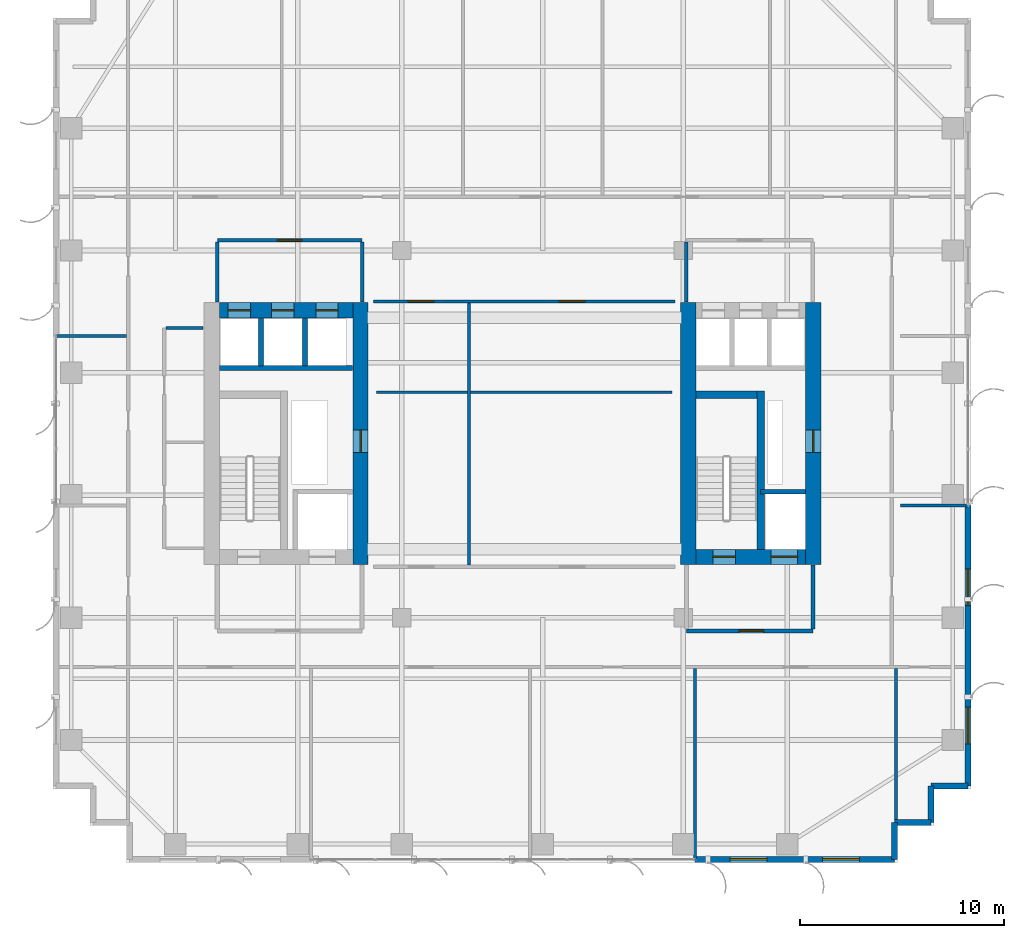
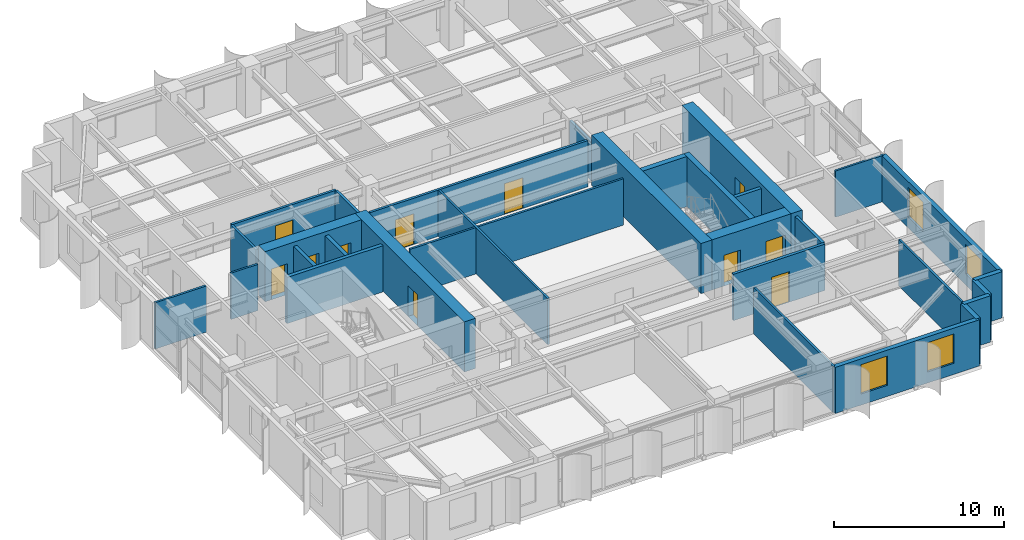
# One storey, part 17 of 22: 31 walls, 11 doors, 4 windows, 15 openings.
"""IFC4 building model written with IfcOpenShell, lengths in metres."""

import ifcopenshell
import ifcopenshell.guid

model = None  # the IFC model being written
_history = None  # IfcOwnerHistory: only IFC2X3 demands one
_inside = {}  # id of a spatial element -> (the spatial element, [elements in it])
_under = {}  # id of a project, library or spatial element -> (it, [spatial elements below it])
_declared = {}  # id of a project -> (the project, [libraries it declares])
_typed = {}  # id of a type object -> (the type object, [elements of that type])
_made_of = {}  # id of a material, layer set ... -> (it, [elements and type objects made of it])


def new_model(schema):
    """Start an empty IFC model of exactly this schema.

    Asked for "IFC4X3", IfcOpenShell would pick the latest addendum, in which some entities
    have other attributes; the version numbers below select the first issue.
    IFC2X3 requires an IfcOwnerHistory on every rooted entity: one is made here for all.
    """
    global model, _history
    if schema == "IFC4X3":
        model = ifcopenshell.file(schema_version=(4, 3, 0, 0))
    else:
        model = ifcopenshell.file(schema=schema)
    _inside.clear()
    _under.clear()
    _declared.clear()
    _typed.clear()
    _made_of.clear()
    _history = None
    if model.schema == "IFC2X3":
        org = make("IfcOrganization", Name="unknown")
        user = make(
            "IfcPersonAndOrganization",
            ThePerson=make("IfcPerson", FamilyName="unknown"),
            TheOrganization=org,
        )
        app = make(
            "IfcApplication",
            ApplicationDeveloper=org,
            Version="unknown",
            ApplicationFullName="unknown",
            ApplicationIdentifier="unknown",
        )
        _history = make(
            "IfcOwnerHistory",
            OwningUser=user,
            OwningApplication=app,
            ChangeAction="ADDED",
            CreationDate=0,
        )
    return model


def make(cls, **values):
    """One entity of the class cls with the attributes given. An attribute that is None is left unset."""
    return model.create_entity(
        cls, **{name: value for name, value in values.items() if value is not None}
    )


def rooted(cls, **values):
    """An entity with a GlobalId (a new one), such as an element, a storey or a relation."""
    return make(cls, GlobalId=ifcopenshell.guid.new(), OwnerHistory=_history, **values)


def si_unit(unit_type, name, prefix=None):
    """IfcSIUnit, for example si_unit("LENGTHUNIT", "METRE", prefix="MILLI")."""
    return make("IfcSIUnit", UnitType=unit_type, Prefix=prefix, Name=name)


def assignment(units):
    """IfcUnitAssignment: the units of a project."""
    return None if units is None else make("IfcUnitAssignment", Units=units)


def point(xyz):
    """IfcCartesianPoint."""
    return None if xyz is None else make("IfcCartesianPoint", Coordinates=xyz)


def direction(xyz):
    """IfcDirection."""
    return None if xyz is None else make("IfcDirection", DirectionRatios=xyz)


def frame(location, z_axis=None, x_axis=None):
    """IfcAxis2Placement3D, a coordinate frame: its origin and axes. An axis left out is left unset."""
    return make(
        "IfcAxis2Placement3D",
        Location=point(location),
        Axis=direction(z_axis),
        RefDirection=direction(x_axis),
    )


def frame_2d(location, x_axis=None):
    """IfcAxis2Placement2D, a coordinate frame in the plane: its origin and x axis."""
    return make(
        "IfcAxis2Placement2D", Location=point(location), RefDirection=direction(x_axis)
    )


def origin():
    """The frame at (0, 0, 0) with its axes left unset."""
    return frame((0.0, 0.0, 0.0))


def place(relative_to, where):
    """IfcLocalPlacement: puts the frame where relative to a parent placement (None: the world)."""
    return make(
        "IfcLocalPlacement", PlacementRelTo=relative_to, RelativePlacement=where
    )


def context(
    kind, dimensions, precision=None, world=None, true_north=None, identifier=None
):
    """IfcGeometricRepresentationContext, for example the 3D "Model" context."""
    return make(
        "IfcGeometricRepresentationContext",
        ContextIdentifier=identifier,
        ContextType=kind,
        CoordinateSpaceDimension=dimensions,
        Precision=precision,
        WorldCoordinateSystem=world,
        TrueNorth=true_north,
    )


def subcontext(parent, identifier, kind, view, scale=None):
    """IfcGeometricRepresentationSubContext, for example "Body" below "Model"."""
    return make(
        "IfcGeometricRepresentationSubContext",
        ContextIdentifier=identifier,
        ContextType=kind,
        ParentContext=parent,
        TargetScale=scale,
        TargetView=view,
    )


def project(units=None, contexts=None):
    """IfcProject with its units and contexts."""
    return rooted(
        "IfcProject",
        Name="project",
        RepresentationContexts=contexts,
        UnitsInContext=assignment(units),
    )


def spatial(cls, under=None, at=None, **own):
    """A site, building, storey or space (cls), placed at a placement, below another one or the project."""
    s = rooted(cls, ObjectPlacement=at, **own)
    if under is not None:
        _under.setdefault(under.id(), (under, []))[1].append(s)
    return s


def profile(cls, at=None, kind="AREA", **sizes):
    """A parametric profile (cls). Its sizes go by their IFC names, for example OverallWidth=200.0."""
    return make(cls, ProfileType=kind, Position=at, **sizes)


def rectangle(**sizes):
    """IfcRectangleProfileDef."""
    return profile("IfcRectangleProfileDef", **sizes)


def extrude(swept, where, along, depth):
    """IfcExtrudedAreaSolid: the profile swept, set in the frame where, extruded along a direction by depth."""
    return make(
        "IfcExtrudedAreaSolid",
        SweptArea=swept,
        Position=where,
        ExtrudedDirection=direction(along),
        Depth=depth,
    )


def shape(context_of_items, identifier, shape_type, items):
    """IfcShapeRepresentation: the items that make up one representation, for example the "Body"."""
    return make(
        "IfcShapeRepresentation",
        ContextOfItems=context_of_items,
        RepresentationIdentifier=identifier,
        RepresentationType=shape_type,
        Items=items,
    )


def source(mapping_origin, context_of_items, identifier, shape_type, items):
    """IfcRepresentationMap: a shape defined once, which mapped items show again and again."""
    return make(
        "IfcRepresentationMap",
        MappingOrigin=mapping_origin,
        MappedRepresentation=shape(context_of_items, identifier, shape_type, items),
    )


def transform(
    local_origin,
    x_axis=None,
    y_axis=None,
    z_axis=None,
    scale=None,
    scale2=None,
    scale3=None,
    uniform=True,
):
    """IfcCartesianTransformationOperator3D, or its non-uniform kind. x_axis, y_axis, z_axis: its Axis1, 2, 3."""
    if uniform:
        return make(
            "IfcCartesianTransformationOperator3D",
            Axis1=direction(x_axis),
            Axis2=direction(y_axis),
            LocalOrigin=point(local_origin),
            Scale=scale,
            Axis3=direction(z_axis),
        )
    return make(
        "IfcCartesianTransformationOperator3DnonUniform",
        Axis1=direction(x_axis),
        Axis2=direction(y_axis),
        LocalOrigin=point(local_origin),
        Scale=scale,
        Axis3=direction(z_axis),
        Scale2=scale2,
        Scale3=scale3,
    )


def mapped(mapping_source, mapping_target):
    """IfcMappedItem: shows the shape of a source again, moved by a transform."""
    return make(
        "IfcMappedItem", MappingSource=mapping_source, MappingTarget=mapping_target
    )


def material(Name=None, Category=None):
    """IfcMaterial."""
    return make("IfcMaterial", Name=Name, Category=Category)


def layer(
    of_material, thickness, ventilated=None, Name=None, Category=None, Priority=None
):
    """IfcMaterialLayer: one layer of a wall or slab, of a material (None: an air gap)."""
    return make(
        "IfcMaterialLayer",
        Material=of_material,
        LayerThickness=thickness,
        IsVentilated=ventilated,
        Name=Name,
        Category=Category,
        Priority=Priority,
    )


def layer_set(layers, Name=None):
    """IfcMaterialLayerSet."""
    return make("IfcMaterialLayerSet", MaterialLayers=layers, LayerSetName=Name)


def made_of(thing, what):
    """Note that an element or type object is made of a material, layer set ...; save() writes the relation."""
    if what is not None:
        _made_of.setdefault(what.id(), (what, []))[1].append(thing)
    return thing


def type_object(cls, material=None, **own):
    """A type object (cls), such as IfcWallType, which elements share."""
    return made_of(rooted(cls, **own), material)


def element(
    cls,
    number,
    at=None,
    inside=None,
    cuts=None,
    type_object=None,
    material=None,
    context=None,
    identifier="Body",
    shape_type=None,
    held_by="IfcProductDefinitionShape",
    body=None,
    shapes=None,
    **own,
):
    """One element of the class cls, such as IfcWall. Its Tag is "e" and its number.

    at: its placement. inside: the storey or other place that contains it. cuts: it is an
    opening in that element (IfcRelVoidsElement). A single representation is given by context,
    identifier, shape_type and body (its items); several are given by shapes. held_by: the class
    of the entity that holds the representations. save() writes the other relations.
    """
    e = rooted(cls, Tag="e%d" % number, ObjectPlacement=at, **own)
    if body is not None:
        shapes = [shape(context, identifier, shape_type, body)]
    if shapes is not None:
        e.Representation = make(held_by, Representations=shapes)
    if inside is not None:
        _inside.setdefault(inside.id(), (inside, []))[1].append(e)
    if cuts is not None:
        rooted(
            "IfcRelVoidsElement", RelatingBuildingElement=cuts, RelatedOpeningElement=e
        )
    if type_object is not None:
        _typed.setdefault(type_object.id(), (type_object, []))[1].append(e)
    return made_of(e, material)


def fill(opening, filler):
    """IfcRelFillsElement: the door or window that sits in an opening."""
    return rooted(
        "IfcRelFillsElement",
        RelatingOpeningElement=opening,
        RelatedBuildingElement=filler,
    )


def aggregate(whole, parts):
    """IfcRelAggregates: a whole, such as a stair, and the parts it consists of."""
    return rooted("IfcRelAggregates", RelatingObject=whole, RelatedObjects=parts)


def save(model, path):
    """Write the relations noted so far, then the file.

    IfcRelAggregates (storeys below a building ...), IfcRelContainedInSpatialStructure (elements
    in a storey), IfcRelDefinesByType, IfcRelAssociatesMaterial and IfcRelDeclares: one each for
    every whole, place, type object, material and project.
    """
    for whole, parts in _under.values():
        aggregate(whole, parts)
    for where, things in _inside.values():
        rooted(
            "IfcRelContainedInSpatialStructure",
            RelatedElements=things,
            RelatingStructure=where,
        )
    for kind, things in _typed.values():
        rooted("IfcRelDefinesByType", RelatedObjects=things, RelatingType=kind)
    for what, things in _made_of.values():
        rooted("IfcRelAssociatesMaterial", RelatedObjects=things, RelatingMaterial=what)
    for by, libraries in _declared.values():
        rooted("IfcRelDeclares", RelatingContext=by, RelatedDefinitions=libraries)
    model.write(path)


model = new_model("IFC4")

# Units and contexts
model_context = context("Model", 3, precision=1e-05, world=origin(), true_north=direction((0.0, 1.0)))
body_context = subcontext(model_context, "Body", "Model", "MODEL_VIEW")
ifc_project = project(units=[si_unit("LENGTHUNIT", "METRE"), si_unit("AREAUNIT", "SQUARE_METRE"), si_unit("VOLUMEUNIT", "CUBIC_METRE"), si_unit("PLANEANGLEUNIT", "RADIAN"), si_unit("MASSUNIT", "GRAM", prefix="KILO")], contexts=[model_context])

# Site, building, storey
site_placement = place(None, origin())
site = spatial("IfcSite", under=ifc_project, at=site_placement, CompositionType="ELEMENT")
building_placement = place(site_placement, origin())
building = spatial("IfcBuilding", under=site, at=building_placement, Name="Khoralis Quay Care Tower", CompositionType="ELEMENT")
storey_placement = place(building_placement, frame((0.0, 0.0, 141.300048828125)))
storey = spatial("IfcBuildingStorey", under=building, at=storey_placement, Name="L37", CompositionType="ELEMENT", Elevation=141.300048828125)

# Wall, opening, door
ifc_material_1 = material(Name="Gypsum plasterboard on acoustic metal stud")
ifc_layer_1 = layer(ifc_material_1, 0.199951171875)
ifc_layer_set_1 = layer_set([ifc_layer_1], Name="Gypsum plasterboard on acoustic metal stud")
wall_type_1 = type_object("IfcWallType", Name="WL-COMP-200", PredefinedType="PARTITIONING", material=ifc_layer_set_1)
wall_1_placement = place(storey_placement, frame((31.050048828125, 11.35009765625, 0.0), z_axis=(0.0, 0.0, 1.0), x_axis=(1.0, 0.0, 0.0)))
wall_1 = element("IfcWall", 1, at=wall_1_placement, inside=storey, type_object=wall_type_1, Name="L37 East Firefighting Lobby South Wall", PredefinedType="PARTITIONING", context=body_context, shape_type="SweptSolid", body=[
    extrude(rectangle(XDim=6.199951171875, YDim=0.199951171875, at=frame_2d((3.10009765625, 0.0))), origin(), (0.0, 0.0, 1.0), 3.320068359375),
])
opening_1_placement = place(wall_1_placement, frame((2.585693359375, 0.0, 0.0)))
opening_1 = element("IfcOpeningElement", 2, at=opening_1_placement, cuts=wall_1, Name="Opening FD1", PredefinedType="OPENING", context=body_context, shape_type="SweptSolid", body=[
    extrude(rectangle(XDim=1.199951171875, YDim=2.199951171875, at=frame_2d((0.60009765625, 1.10009765625))), frame((0.0, 0.10986328125, 0.0), z_axis=(0.0, -1.0, 0.0), x_axis=(1.0, 0.0, 0.0)), (0.0, 0.0, 1.0), 0.219970703125),
])
ifc_material_2 = material(Name="Fire-rated painted steel", Category="steel")
door_type_1 = type_object("IfcDoorType", Name="DR-FFL-1200X2200", OperationType="NOTDEFINED", PredefinedType="DOOR", material=ifc_material_2)
shared_shape_1 = source(origin(), body_context, "Body", "SweptSolid", [
    extrude(rectangle(XDim=1.199951171875, YDim=2.199951171875, at=frame_2d((0.60009765625, 1.10009765625))), frame((0.0, 0.02490234375, 0.0), z_axis=(0.0, -1.0, 0.0), x_axis=(1.0, 0.0, 0.0)), (0.0, 0.0, 1.0), 0.050048828125),
])
door_1_placement = place(opening_1_placement, origin())
door_1 = element("IfcDoor", 3, at=door_1_placement, inside=storey, type_object=door_type_1, Name="L37 East Firefighting Lobby Fire Door", OperationType="SINGLE_SWING_RIGHT", OverallHeight=2.199951171875, OverallWidth=1.199951171875, PredefinedType="DOOR", context=body_context, shape_type="MappedRepresentation", body=[
    mapped(shared_shape_1, transform((0.0, 0.0, 0.0), scale=1.0)),
])
fill(opening_1, door_1)

# Wall
wall_2_placement = place(storey_placement, frame((37.25, 11.445068359375, 0.0), z_axis=(0.0, 0.0, 1.0), x_axis=(0.0, 1.0, 0.0)))
element("IfcWall", 4, at=wall_2_placement, inside=storey, type_object=wall_type_1, Name="L37 East Firefighting Lobby East Wall", PredefinedType="PARTITIONING", context=body_context, shape_type="SweptSolid", body=[
    extrude(rectangle(XDim=3.135009765625, YDim=0.199951171875, at=frame_2d((1.5673828125, 0.0))), origin(), (0.0, 0.0, 1.0), 3.320068359375),
])

# Wall, opening, door
ifc_material_3 = material(Name="Concrete C80/95", Category="concrete")
ifc_layer_2 = layer(ifc_material_3, 0.75)
ifc_layer_set_2 = layer_set([ifc_layer_2], Name="Concrete C80/95")
wall_type_2 = type_object("IfcWallType", Name="WL-CORE-750", PredefinedType="SHEAR", material=ifc_layer_set_2)
wall_3_placement = place(storey_placement, frame((15.074951171875, 14.60009765625, 0.0), z_axis=(0.0, 0.0, 1.0), x_axis=(0.0, 1.0, 0.0)))
wall_3 = element("IfcWall", 5, at=wall_3_placement, inside=storey, type_object=wall_type_2, Name="L37 WCORE East Shear Wall", PredefinedType="SHEAR", context=body_context, shape_type="SweptSolid", body=[
    extrude(rectangle(XDim=12.849853515625, YDim=0.75, at=frame_2d((6.4248046875, 0.0))), origin(), (0.0, 0.0, 1.0), 3.599853515625),
])
opening_2_placement = place(wall_3_placement, frame((5.5, 0.0, 0.0)))
opening_2 = element("IfcOpeningElement", 6, at=opening_2_placement, cuts=wall_3, Name="Opening SD1", PredefinedType="OPENING", context=body_context, shape_type="SweptSolid", body=[
    extrude(rectangle(XDim=1.10009765625, YDim=2.199951171875, at=frame_2d((0.550048828125, 1.10009765625))), frame((0.0, 0.385009765625, 0.0), z_axis=(0.0, -1.0, 0.0), x_axis=(1.0, 0.0, 0.0)), (0.0, 0.0, 1.0), 0.77001953125),
])
door_type_2 = type_object("IfcDoorType", Name="DR-STAIR-1100X2200", OperationType="NOTDEFINED", PredefinedType="DOOR", material=ifc_material_2)
shared_shape_2 = source(origin(), body_context, "Body", "SweptSolid", [
    extrude(rectangle(XDim=1.10009765625, YDim=2.199951171875, at=frame_2d((0.550048828125, 1.10009765625))), frame((0.0, 0.02490234375, 0.0), z_axis=(0.0, -1.0, 0.0), x_axis=(1.0, 0.0, 0.0)), (0.0, 0.0, 1.0), 0.050048828125),
])
door_2_placement = place(opening_2_placement, origin())
door_2 = element("IfcDoor", 7, at=door_2_placement, inside=storey, type_object=door_type_2, Name="L37 West MEP Riser Door", OperationType="SINGLE_SWING_LEFT", OverallHeight=2.199951171875, OverallWidth=1.10009765625, PredefinedType="DOOR", context=body_context, shape_type="MappedRepresentation", body=[
    mapped(shared_shape_2, transform((0.0, 0.0, 0.0), scale=1.0)),
])
fill(opening_2, door_2)

# Wall, openings, doors
wall_4_placement = place(storey_placement, frame((8.14990234375, 27.074951171875, 0.0), z_axis=(0.0, 0.0, 1.0), x_axis=(1.0, 0.0, 0.0)))
wall_4 = element("IfcWall", 8, at=wall_4_placement, inside=storey, type_object=wall_type_2, Name="L37 WCORE North Shear Wall", PredefinedType="SHEAR", context=body_context, shape_type="SweptSolid", body=[
    extrude(rectangle(XDim=6.550048828125, YDim=0.75, at=frame_2d((3.27490234375, 0.0))), origin(), (0.0, 0.0, 1.0), 3.599853515625),
])
opening_3_placement = place(wall_4_placement, frame((0.429931640625, 0.0, 0.0)))
opening_3 = element("IfcOpeningElement", 9, at=opening_3_placement, cuts=wall_4, Name="Opening LD1", PredefinedType="OPENING", context=body_context, shape_type="SweptSolid", body=[
    extrude(rectangle(XDim=1.10009765625, YDim=2.199951171875, at=frame_2d((0.550048828125, 1.10009765625))), frame((0.0, 0.385009765625, 0.0), z_axis=(0.0, -1.0, 0.0), x_axis=(1.0, 0.0, 0.0)), (0.0, 0.0, 1.0), 0.77001953125),
])
opening_4_placement = place(wall_4_placement, frame((2.570068359375, 0.0, 0.0)))
opening_4 = element("IfcOpeningElement", 10, at=opening_4_placement, cuts=wall_4, Name="Opening LD1", PredefinedType="OPENING", context=body_context, shape_type="SweptSolid", body=[
    extrude(rectangle(XDim=1.10009765625, YDim=2.199951171875, at=frame_2d((0.550048828125, 1.10009765625))), frame((0.0, 0.385009765625, 0.0), z_axis=(0.0, -1.0, 0.0), x_axis=(1.0, 0.0, 0.0)), (0.0, 0.0, 1.0), 0.77001953125),
])
opening_5_placement = place(wall_4_placement, frame((4.72998046875, 0.0, 0.0)))
opening_5 = element("IfcOpeningElement", 11, at=opening_5_placement, cuts=wall_4, Name="Opening LD1", PredefinedType="OPENING", context=body_context, shape_type="SweptSolid", body=[
    extrude(rectangle(XDim=1.10009765625, YDim=2.199951171875, at=frame_2d((0.550048828125, 1.10009765625))), frame((0.0, 0.385009765625, 0.0), z_axis=(0.0, -1.0, 0.0), x_axis=(1.0, 0.0, 0.0)), (0.0, 0.0, 1.0), 0.77001953125),
])
ifc_material_4 = material(Name="Brushed stainless steel", Category="steel")
door_type_3 = type_object("IfcDoorType", Name="DR-LIFT-1100X2200", OperationType="SLIDING_TO_LEFT", PredefinedType="DOOR", material=ifc_material_4)
shared_shape_3 = source(origin(), body_context, "Body", "SweptSolid", [
    extrude(rectangle(XDim=1.10009765625, YDim=2.199951171875, at=frame_2d((0.550048828125, 1.10009765625))), frame((0.0, 0.02490234375, 0.0), z_axis=(0.0, -1.0, 0.0), x_axis=(1.0, 0.0, 0.0)), (0.0, 0.0, 1.0), 0.050048828125),
])
door_3_placement = place(opening_3_placement, origin())
door_3 = element("IfcDoor", 12, at=door_3_placement, inside=storey, type_object=door_type_3, Name="L37 Lift PLL1 Landing Door", OperationType="SLIDING_TO_LEFT", OverallHeight=2.199951171875, OverallWidth=1.10009765625, PredefinedType="DOOR", context=body_context, shape_type="MappedRepresentation", body=[
    mapped(shared_shape_3, transform((0.0, 0.0, 0.0), scale=1.0)),
])
fill(opening_3, door_3)
door_4_placement = place(opening_4_placement, origin())
door_4 = element("IfcDoor", 13, at=door_4_placement, inside=storey, type_object=door_type_3, Name="L37 Lift PLM1 Landing Door", OperationType="SLIDING_TO_LEFT", OverallHeight=2.199951171875, OverallWidth=1.10009765625, PredefinedType="DOOR", context=body_context, shape_type="MappedRepresentation", body=[
    mapped(shared_shape_3, transform((0.0, 0.0, 0.0), scale=1.0)),
])
fill(opening_4, door_4)
door_5_placement = place(opening_5_placement, origin())
door_5 = element("IfcDoor", 14, at=door_5_placement, inside=storey, type_object=door_type_3, Name="L37 Lift PLH1 Landing Door", OperationType="SLIDING_TO_LEFT", OverallHeight=2.199951171875, OverallWidth=1.10009765625, PredefinedType="DOOR", context=body_context, shape_type="MappedRepresentation", body=[
    mapped(shared_shape_3, transform((0.0, 0.0, 0.0), scale=1.0)),
])
fill(opening_5, door_5)

# Wall
wall_5_placement = place(storey_placement, frame((31.14501953125, 14.60009765625, 0.0), z_axis=(0.0, 0.0, 1.0), x_axis=(0.0, 1.0, 0.0)))
element("IfcWall", 15, at=wall_5_placement, inside=storey, type_object=wall_type_2, Name="L37 ECORE West Shear Wall", PredefinedType="SHEAR", context=body_context, shape_type="SweptSolid", body=[
    extrude(rectangle(XDim=12.849853515625, YDim=0.75, at=frame_2d((6.4248046875, 0.0))), origin(), (0.0, 0.0, 1.0), 3.599853515625),
])

# Wall, opening, door
wall_6_placement = place(storey_placement, frame((37.27490234375, 14.60009765625, 0.0), z_axis=(0.0, 0.0, 1.0), x_axis=(0.0, 1.0, 0.0)))
wall_6 = element("IfcWall", 16, at=wall_6_placement, inside=storey, type_object=wall_type_2, Name="L37 ECORE East Shear Wall", PredefinedType="SHEAR", context=body_context, shape_type="SweptSolid", body=[
    extrude(rectangle(XDim=12.849853515625, YDim=0.75, at=frame_2d((6.4248046875, 0.0))), origin(), (0.0, 0.0, 1.0), 3.599853515625),
])
opening_6_placement = place(wall_6_placement, frame((5.5, 0.0, 0.0)))
opening_6 = element("IfcOpeningElement", 17, at=opening_6_placement, cuts=wall_6, Name="Opening SD1", PredefinedType="OPENING", context=body_context, shape_type="SweptSolid", body=[
    extrude(rectangle(XDim=1.10009765625, YDim=2.199951171875, at=frame_2d((0.550048828125, 1.10009765625))), frame((0.0, 0.385009765625, 0.0), z_axis=(0.0, -1.0, 0.0), x_axis=(1.0, 0.0, 0.0)), (0.0, 0.0, 1.0), 0.77001953125),
])
door_6_placement = place(opening_6_placement, frame((1.10009765625, 0.0, 0.0), z_axis=(0.0, 0.0, 1.0), x_axis=(-1.0, 0.0, 0.0)))
door_6 = element("IfcDoor", 18, at=door_6_placement, inside=storey, type_object=door_type_2, Name="L37 East MEP Riser Door", OperationType="SINGLE_SWING_RIGHT", OverallHeight=2.199951171875, OverallWidth=1.10009765625, PredefinedType="DOOR", context=body_context, shape_type="MappedRepresentation", body=[
    mapped(shared_shape_2, transform((0.0, 0.0, 0.0), scale=1.0)),
])
fill(opening_6, door_6)

# Wall, openings, doors
wall_7_placement = place(storey_placement, frame((31.52001953125, 14.97509765625, 0.0), z_axis=(0.0, 0.0, 1.0), x_axis=(1.0, 0.0, 0.0)))
wall_7 = element("IfcWall", 19, at=wall_7_placement, inside=storey, type_object=wall_type_2, Name="L37 ECORE South Shear Wall", PredefinedType="SHEAR", context=body_context, shape_type="SweptSolid", body=[
    extrude(rectangle(XDim=5.3798828125, YDim=0.75, at=frame_2d((2.68994140625, 0.0))), origin(), (0.0, 0.0, 1.0), 3.599853515625),
])
opening_7_placement = place(wall_7_placement, frame((0.830078125, 0.0, 0.0)))
opening_7 = element("IfcOpeningElement", 20, at=opening_7_placement, cuts=wall_7, Name="Opening SD1", PredefinedType="OPENING", context=body_context, shape_type="SweptSolid", body=[
    extrude(rectangle(XDim=1.10009765625, YDim=2.199951171875, at=frame_2d((0.550048828125, 1.10009765625))), frame((0.0, 0.385009765625, 0.0), z_axis=(0.0, -1.0, 0.0), x_axis=(1.0, 0.0, 0.0)), (0.0, 0.0, 1.0), 0.77001953125),
])
opening_8_placement = place(wall_7_placement, frame((3.679931640625, 0.0, 0.0)))
opening_8 = element("IfcOpeningElement", 21, at=opening_8_placement, cuts=wall_7, Name="Opening LD2", PredefinedType="OPENING", context=body_context, shape_type="SweptSolid", body=[
    extrude(rectangle(XDim=1.300048828125, YDim=2.199951171875, at=frame_2d((0.64990234375, 1.10009765625))), frame((0.0, 0.385009765625, 0.0), z_axis=(0.0, -1.0, 0.0), x_axis=(1.0, 0.0, 0.0)), (0.0, 0.0, 1.0), 0.77001953125),
])
door_7_placement = place(opening_7_placement, origin())
door_7 = element("IfcDoor", 22, at=door_7_placement, inside=storey, type_object=door_type_2, Name="L37 Stair ST-T2 Fire Door", OperationType="SINGLE_SWING_RIGHT", OverallHeight=2.199951171875, OverallWidth=1.10009765625, PredefinedType="DOOR", context=body_context, shape_type="MappedRepresentation", body=[
    mapped(shared_shape_2, transform((0.0, 0.0, 0.0), scale=1.0)),
])
fill(opening_7, door_7)
door_type_4 = type_object("IfcDoorType", Name="DR-LIFT-1300X2200", OperationType="SLIDING_TO_RIGHT", PredefinedType="DOOR", material=ifc_material_4)
shared_shape_4 = source(origin(), body_context, "Body", "SweptSolid", [
    extrude(rectangle(XDim=1.300048828125, YDim=2.199951171875, at=frame_2d((0.64990234375, 1.10009765625))), frame((0.0, 0.02490234375, 0.0), z_axis=(0.0, -1.0, 0.0), x_axis=(1.0, 0.0, 0.0)), (0.0, 0.0, 1.0), 0.050048828125),
])
door_8_placement = place(opening_8_placement, origin())
door_8 = element("IfcDoor", 23, at=door_8_placement, inside=storey, type_object=door_type_4, Name="L37 Firefighting Lift FFL-2 Landing Door", OperationType="SLIDING_TO_RIGHT", OverallHeight=2.199951171875, OverallWidth=1.300048828125, PredefinedType="DOOR", context=body_context, shape_type="MappedRepresentation", body=[
    mapped(shared_shape_4, transform((0.0, 0.0, 0.0), scale=1.0)),
])
fill(opening_8, door_8)

# Wall, opening, door
ifc_layer_3 = layer(ifc_material_1, 0.1650390625)
ifc_layer_set_3 = layer_set([ifc_layer_3], Name="Gypsum plasterboard on acoustic metal stud")
wall_type_3 = type_object("IfcWallType", Name="WL-CORR-165", PredefinedType="PARTITIONING", material=ifc_layer_set_3)
wall_8_placement = place(storey_placement, frame((8.050048828125, 30.5, 0.0), z_axis=(0.0, 0.0, 1.0), x_axis=(1.0, 0.0, 0.0)))
wall_8 = element("IfcWall", 24, at=wall_8_placement, inside=storey, type_object=wall_type_3, Name="L37 West Lift Lobby North Wall", PredefinedType="PARTITIONING", context=body_context, shape_type="SweptSolid", body=[
    extrude(rectangle(XDim=7.099853515625, YDim=0.1650390625, at=frame_2d((3.5498046875, 0.0))), origin(), (0.0, 0.0, 1.0), 3.320068359375),
])
opening_9_placement = place(wall_8_placement, frame((2.949951171875, 0.0, 0.0)))
opening_9 = element("IfcOpeningElement", 25, at=opening_9_placement, cuts=wall_8, Name="Opening FD1", PredefinedType="OPENING", context=body_context, shape_type="SweptSolid", body=[
    extrude(rectangle(XDim=1.199951171875, YDim=2.199951171875, at=frame_2d((0.60009765625, 1.10009765625))), frame((0.0, 0.092529296875, 0.0), z_axis=(0.0, -1.0, 0.0), x_axis=(1.0, 0.0, 0.0)), (0.0, 0.0, 1.0), 0.18505859375),
])
door_9_placement = place(opening_9_placement, origin())
door_9 = element("IfcDoor", 26, at=door_9_placement, inside=storey, type_object=door_type_1, Name="L37 West Lift Lobby Double Door", OperationType="DOUBLE_DOOR_SINGLE_SWING", OverallHeight=2.199951171875, OverallWidth=1.199951171875, PredefinedType="DOOR", context=body_context, shape_type="MappedRepresentation", body=[
    mapped(shared_shape_1, transform((0.0, 0.0, 0.0), scale=1.0)),
])
fill(opening_9, door_9)

# Walls
for number, where, z_axis, x_axis, name in (
    (27, (8.050048828125, 27.469970703125, 0.0), (0.0, 0.0, 1.0), (0.0, 1.0, 0.0), "L37 West Lift Lobby West Wall"),
    (28, (15.14990234375, 27.469970703125, 0.0), (0.0, 0.0, 1.0), (0.0, 1.0, 0.0), "L37 West Lift Lobby East Wall"),
):
    element("IfcWall", number, at=place(storey_placement, frame(where, z_axis=z_axis, x_axis=x_axis)), inside=storey, type_object=wall_type_3, Name=name, PredefinedType="PARTITIONING", context=body_context, shape_type="SweptSolid", body=[
        extrude(rectangle(XDim=2.95263671875, YDim=0.1650390625, at=frame_2d((1.476318359375, 0.0))), origin(), (0.0, 0.0, 1.0), 3.320068359375),
    ])
wall_9_placement = place(storey_placement, frame((31.050048828125, 27.469970703125, 0.0), z_axis=(0.0, 0.0, 1.0), x_axis=(0.0, 1.0, 0.0)))
element("IfcWall", 29, at=wall_9_placement, inside=storey, type_object=wall_type_3, Name="L37 East Lift Lobby West Wall", PredefinedType="PARTITIONING", context=body_context, shape_type="SweptSolid", body=[
    extrude(rectangle(XDim=2.95263671875, YDim=0.1650390625, at=frame_2d((1.476318359375, 0.0))), origin(), (0.0, 0.0, 1.0), 2.77587890625),
])

# Wall, openings, doors
wall_10_placement = place(storey_placement, frame((15.699951171875, 27.5, 0.0), z_axis=(0.0, 0.0, 1.0), x_axis=(1.0, 0.0, 0.0)))
wall_10 = element("IfcWall", 30, at=wall_10_placement, inside=storey, type_object=wall_type_3, Name="L37 Central Clinical North Wall", PredefinedType="PARTITIONING", context=body_context, shape_type="SweptSolid", body=[
    extrude(rectangle(XDim=14.800048828125, YDim=0.1650390625, at=frame_2d((7.39990234375, 0.0))), origin(), (0.0, 0.0, 1.0), 3.320068359375),
])
opening_10_placement = place(wall_10_placement, frame((1.72509765625, 0.0, 0.0)))
opening_10 = element("IfcOpeningElement", 31, at=opening_10_placement, cuts=wall_10, Name="Opening CD1", PredefinedType="OPENING", context=body_context, shape_type="SweptSolid", body=[
    extrude(rectangle(XDim=1.25, YDim=2.199951171875, at=frame_2d((0.625, 1.10009765625))), frame((0.0, 0.092529296875, 0.0), z_axis=(0.0, -1.0, 0.0), x_axis=(1.0, 0.0, 0.0)), (0.0, 0.0, 1.0), 0.18505859375),
])
opening_11_placement = place(wall_10_placement, frame((9.125, 0.0, 0.0)))
opening_11 = element("IfcOpeningElement", 32, at=opening_11_placement, cuts=wall_10, Name="Opening CD1", PredefinedType="OPENING", context=body_context, shape_type="SweptSolid", body=[
    extrude(rectangle(XDim=1.25, YDim=2.199951171875, at=frame_2d((0.625, 1.10009765625))), frame((0.0, 0.092529296875, 0.0), z_axis=(0.0, -1.0, 0.0), x_axis=(1.0, 0.0, 0.0)), (0.0, 0.0, 1.0), 0.18505859375),
])
ifc_material_5 = material(Name="Acoustic hardwood timber", Category="wood")
door_type_5 = type_object("IfcDoorType", Name="DR-CARE-1250X2200", OperationType="NOTDEFINED", PredefinedType="DOOR", material=ifc_material_5)
shared_shape_5 = source(origin(), body_context, "Body", "SweptSolid", [
    extrude(rectangle(XDim=1.25, YDim=2.199951171875, at=frame_2d((0.625, 1.10009765625))), frame((0.0, 0.02490234375, 0.0), z_axis=(0.0, -1.0, 0.0), x_axis=(1.0, 0.0, 0.0)), (0.0, 0.0, 1.0), 0.050048828125),
])
door_10_placement = place(opening_10_placement, frame((1.25, 0.0, 0.0), z_axis=(0.0, 0.0, 1.0), x_axis=(-1.0, 0.0, 0.0)))
door_10 = element("IfcDoor", 33, at=door_10_placement, inside=storey, type_object=door_type_5, Name="L37 Library Lounge Door", OperationType="SINGLE_SWING_LEFT", OverallHeight=2.199951171875, OverallWidth=1.25, PredefinedType="DOOR", context=body_context, shape_type="MappedRepresentation", body=[
    mapped(shared_shape_5, transform((0.0, 0.0, 0.0), scale=1.0)),
])
fill(opening_10, door_10)
door_11_placement = place(opening_11_placement, frame((1.25, 0.0, 0.0), z_axis=(0.0, 0.0, 1.0), x_axis=(-1.0, 0.0, 0.0)))
door_11 = element("IfcDoor", 34, at=door_11_placement, inside=storey, type_object=door_type_5, Name="L37 Occupational Therapy Door", OperationType="SINGLE_SWING_RIGHT", OverallHeight=2.199951171875, OverallWidth=1.25, PredefinedType="DOOR", context=body_context, shape_type="MappedRepresentation", body=[
    mapped(shared_shape_5, transform((0.0, 0.0, 0.0), scale=1.0)),
])
fill(opening_11, door_11)

# Wall, openings, windows
ifc_material_6 = material(Name="Precast concrete C45/55", Category="concrete")
ifc_layer_4 = layer(ifc_material_6, 0.300048828125)
ifc_layer_set_4 = layer_set([ifc_layer_4], Name="Precast concrete C45/55")
wall_type_4 = type_object("IfcWallType", Name="WL-EXT-REF-300", PredefinedType="SOLIDWALL", material=ifc_layer_set_4)
wall_11_placement = place(storey_placement, frame((31.469970703125, 0.14990234375, 0.0), z_axis=(0.0, 0.0, 1.0), x_axis=(1.0, 0.0, 0.0)))
wall_11 = element("IfcWall", 35, at=wall_11_placement, inside=storey, type_object=wall_type_4, Name="L37 External Facade Wall WL-EXT-L37-P1-E0B", PredefinedType="SOLIDWALL", context=body_context, shape_type="SweptSolid", body=[
    extrude(rectangle(XDim=9.780029296875, YDim=0.300048828125, at=frame_2d((4.89013671875, 0.0))), origin(), (0.0, 0.0, 1.0), 3.320068359375),
])
opening_12_placement = place(wall_11_placement, frame((1.72509765625, 0.0, 0.800048828125)))
opening_12 = element("IfcOpeningElement", 36, at=opening_12_placement, cuts=wall_11, Name="Opening W2", PredefinedType="OPENING", context=body_context, shape_type="SweptSolid", body=[
    extrude(rectangle(XDim=1.800048828125, YDim=2.10009765625, at=frame_2d((0.89990234375, 1.050048828125))), frame((0.0, 0.16015625, 0.0), z_axis=(0.0, -1.0, 0.0), x_axis=(1.0, 0.0, 0.0)), (0.0, 0.0, 1.0), 0.320068359375),
])
opening_13_placement = place(wall_11_placement, frame((6.2548828125, 0.0, 0.800048828125)))
opening_13 = element("IfcOpeningElement", 37, at=opening_13_placement, cuts=wall_11, Name="Opening W2", PredefinedType="OPENING", context=body_context, shape_type="SweptSolid", body=[
    extrude(rectangle(XDim=1.800048828125, YDim=2.10009765625, at=frame_2d((0.89990234375, 1.050048828125))), frame((0.0, 0.16015625, 0.0), z_axis=(0.0, -1.0, 0.0), x_axis=(1.0, 0.0, 0.0)), (0.0, 0.0, 1.0), 0.320068359375),
])
ifc_material_7 = material(Name="Low-E solar-control double glazing", Category="glass")
window_type = type_object("IfcWindowType", Name="WN-POD-1800X2100", PartitioningType="SINGLE_PANEL", PredefinedType="WINDOW", material=ifc_material_7)
shared_shape_6 = source(origin(), body_context, "Body", "SweptSolid", [
    extrude(rectangle(XDim=1.800048828125, YDim=2.10009765625, at=frame_2d((0.89990234375, 1.050048828125))), frame((0.0, 0.030029296875, 0.0), z_axis=(0.0, -1.0, 0.0), x_axis=(1.0, 0.0, 0.0)), (0.0, 0.0, 1.0), 0.06005859375),
])
window_1_placement = place(opening_12_placement, origin())
window_1 = element("IfcWindow", 38, at=window_1_placement, inside=storey, type_object=window_type, Name="WN-L37-P1-E0B Facade Window 01", OverallHeight=2.10009765625, OverallWidth=1.800048828125, PartitioningType="SINGLE_PANEL", PredefinedType="WINDOW", context=body_context, shape_type="MappedRepresentation", body=[
    mapped(shared_shape_6, transform((0.0, 0.0, 0.0), scale=1.0)),
])
fill(opening_12, window_1)
window_2_placement = place(opening_13_placement, origin())
window_2 = element("IfcWindow", 39, at=window_2_placement, inside=storey, type_object=window_type, Name="WN-L37-P1-E0B Facade Window 02", OverallHeight=2.10009765625, OverallWidth=1.800048828125, PartitioningType="SINGLE_PANEL", PredefinedType="WINDOW", context=body_context, shape_type="MappedRepresentation", body=[
    mapped(shared_shape_6, transform((0.0, 0.0, 0.0), scale=1.0)),
])
fill(opening_13, window_2)

# Walls
for number, where, z_axis, x_axis, name in (
    (40, (41.25, 0.14990234375, 0.0), (0.0, 0.0, 1.0), (0.0, 1.0, 0.0), "L37 External Facade Wall WL-EXT-L37-P1-C1"),
    (41, (41.25, 1.949951171875, 0.0), (0.0, 0.0, 1.0), (1.0, 0.0, 0.0), "L37 External Facade Wall WL-EXT-L37-P1-C2"),
    (42, (43.050048828125, 1.949951171875, 0.0), (0.0, 0.0, 1.0), (0.0, 1.0, 0.0), "L37 External Facade Wall WL-EXT-L37-P1-C3"),
    (43, (43.050048828125, 3.75, 0.0), (0.0, 0.0, 1.0), (1.0, 0.0, 0.0), "L37 External Facade Wall WL-EXT-L37-P1-C4"),
):
    element("IfcWall", number, at=place(storey_placement, frame(where, z_axis=z_axis, x_axis=x_axis)), inside=storey, type_object=wall_type_4, Name=name, PredefinedType="SOLIDWALL", context=body_context, shape_type="SweptSolid", body=[
        extrude(rectangle(XDim=1.800048828125, YDim=0.300048828125, at=frame_2d((0.89990234375, 0.0))), origin(), (0.0, 0.0, 1.0), 3.320068359375),
    ])

# Wall, openings, windows
wall_12_placement = place(storey_placement, frame((44.85009765625, 3.75, 0.0), z_axis=(0.0, 0.0, 1.0), x_axis=(0.0, 1.0, 0.0)))
wall_12 = element("IfcWall", 44, at=wall_12_placement, inside=storey, type_object=wall_type_4, Name="L37 External Facade Wall WL-EXT-L37-P1-E5A", PredefinedType="SOLIDWALL", context=body_context, shape_type="SweptSolid", body=[
    extrude(rectangle(XDim=13.75, YDim=0.300048828125, at=frame_2d((6.875, 0.0))), origin(), (0.0, 0.0, 1.0), 3.320068359375),
])
opening_14_placement = place(wall_12_placement, frame((2.06494140625, 0.0, 0.800048828125)))
opening_14 = element("IfcOpeningElement", 45, at=opening_14_placement, cuts=wall_12, Name="Opening W2", PredefinedType="OPENING", context=body_context, shape_type="SweptSolid", body=[
    extrude(rectangle(XDim=1.800048828125, YDim=2.10009765625, at=frame_2d((0.89990234375, 1.050048828125))), frame((0.0, 0.16015625, 0.0), z_axis=(0.0, -1.0, 0.0), x_axis=(1.0, 0.0, 0.0)), (0.0, 0.0, 1.0), 0.320068359375),
])
opening_15_placement = place(wall_12_placement, frame((8.840087890625, 0.0, 0.800048828125)))
opening_15 = element("IfcOpeningElement", 46, at=opening_15_placement, cuts=wall_12, Name="Opening W2", PredefinedType="OPENING", context=body_context, shape_type="SweptSolid", body=[
    extrude(rectangle(XDim=1.800048828125, YDim=2.10009765625, at=frame_2d((0.89990234375, 1.050048828125))), frame((0.0, 0.16015625, 0.0), z_axis=(0.0, -1.0, 0.0), x_axis=(1.0, 0.0, 0.0)), (0.0, 0.0, 1.0), 0.320068359375),
])
window_3_placement = place(opening_14_placement, origin())
window_3 = element("IfcWindow", 47, at=window_3_placement, inside=storey, type_object=window_type, Name="WN-L37-P1-E5A Facade Window 01", OverallHeight=2.10009765625, OverallWidth=1.800048828125, PartitioningType="SINGLE_PANEL", PredefinedType="WINDOW", context=body_context, shape_type="MappedRepresentation", body=[
    mapped(shared_shape_6, transform((0.0, 0.0, 0.0), scale=1.0)),
])
fill(opening_14, window_3)
window_4_placement = place(opening_15_placement, origin())
window_4 = element("IfcWindow", 48, at=window_4_placement, inside=storey, type_object=window_type, Name="WN-L37-P1-E5A Facade Window 02", OverallHeight=2.10009765625, OverallWidth=1.800048828125, PartitioningType="SINGLE_PANEL", PredefinedType="WINDOW", context=body_context, shape_type="MappedRepresentation", body=[
    mapped(shared_shape_6, transform((0.0, 0.0, 0.0), scale=1.0)),
])
fill(opening_15, window_4)

# Walls
ifc_material_8 = material(Name="Concrete C40/50", Category="concrete")
ifc_layer_5 = layer(ifc_material_8, 0.35009765625)
ifc_layer_set_5 = layer_set([ifc_layer_5], Name="Concrete C40/50")
wall_type_5 = type_object("IfcWallType", Name="WL-SC-CORE-350", PredefinedType="SHEAR", material=ifc_layer_set_5)
wall_13_placement = place(storey_placement, frame((34.695068359375, 15.35009765625, 0.0), z_axis=(0.0, 0.0, 1.0), x_axis=(0.0, 1.0, 0.0)))
element("IfcWall", 49, at=wall_13_placement, inside=storey, type_object=wall_type_5, Name="L37 Stair ST-T2 Shear Baffle Wall East", PredefinedType="SHEAR", context=body_context, shape_type="SweptSolid", body=[
    extrude(rectangle(XDim=7.75, YDim=0.35009765625, at=frame_2d((3.875, 0.0))), origin(), (0.0, 0.0, 1.0), 3.599853515625),
])
wall_14_placement = place(storey_placement, frame((31.52001953125, 22.925048828125, 0.0), z_axis=(0.0, 0.0, 1.0), x_axis=(1.0, 0.0, 0.0)))
element("IfcWall", 50, at=wall_14_placement, inside=storey, type_object=wall_type_5, Name="L37 Stair ST-T2 Shear Baffle Wall North", PredefinedType="SHEAR", context=body_context, shape_type="SweptSolid", body=[
    extrude(rectangle(XDim=3.0, YDim=0.35009765625, at=frame_2d((1.5, 0.0))), origin(), (0.0, 0.0, 1.0), 3.599853515625),
])
ifc_layer_6 = layer(ifc_material_1, 0.239990234375)
ifc_layer_set_6 = layer_set([ifc_layer_6], Name="Gypsum plasterboard on acoustic metal stud")
wall_type_6 = type_object("IfcWallType", Name="WL-SHAFT-240", PredefinedType="PARTITIONING", material=ifc_layer_set_6)
wall_15_placement = place(storey_placement, frame((34.679931640625, 18.169921875, 0.0), z_axis=(0.0, 0.0, 1.0), x_axis=(1.0, 0.0, 0.0)))
element("IfcWall", 51, at=wall_15_placement, inside=storey, type_object=wall_type_6, Name="L37 FFL-2 Shaft Wall North", PredefinedType="PARTITIONING", context=body_context, shape_type="SweptSolid", body=[
    extrude(rectangle(XDim=2.199951171875, YDim=0.239990234375, at=frame_2d((1.10009765625, 0.0))), origin(), (0.0, 0.0, 1.0), 3.320068359375),
])
wall_16_placement = place(storey_placement, frame((8.14990234375, 24.22998046875, 0.0), z_axis=(0.0, 0.0, 1.0), x_axis=(1.0, 0.0, 0.0)))
element("IfcWall", 52, at=wall_16_placement, inside=storey, type_object=wall_type_6, Name="L37 West Passenger Shaft South Wall", PredefinedType="PARTITIONING", context=body_context, shape_type="SweptSolid", body=[
    extrude(rectangle(XDim=6.530029296875, YDim=0.239990234375, at=frame_2d((3.26513671875, 0.0))), origin(), (0.0, 0.0, 1.0), 3.320068359375),
])
for number, where, z_axis, x_axis, name in (
    (53, (10.199951171875, 24.344970703125, 0.0), (0.0, 0.0, 1.0), (0.0, 1.0, 0.0), "L37 West Shaft Divider 1"),
    (54, (12.35009765625, 24.344970703125, 0.0), (0.0, 0.0, 1.0), (0.0, 1.0, 0.0), "L37 West Shaft Divider 2"),
):
    element("IfcWall", number, at=place(storey_placement, frame(where, z_axis=z_axis, x_axis=x_axis)), inside=storey, type_object=wall_type_6, Name=name, PredefinedType="PARTITIONING", context=body_context, shape_type="SweptSolid", body=[
        extrude(rectangle(XDim=2.3349609375, YDim=0.239990234375, at=frame_2d((1.16748046875, 0.0))), origin(), (0.0, 0.0, 1.0), 3.320068359375),
    ])
ifc_layer_7 = layer(ifc_material_1, 0.139892578125)
ifc_layer_set_7 = layer_set([ifc_layer_7], Name="Gypsum plasterboard on acoustic metal stud")
wall_type_7 = type_object("IfcWallType", Name="WL-UNIT-140", PredefinedType="PARTITIONING", material=ifc_layer_set_7)
wall_17_placement = place(storey_placement, frame((5.527587890625, 26.199951171875, 0.0), z_axis=(0.0, 0.0, 1.0), x_axis=(1.0, 0.0, 0.0)))
element("IfcWall", 55, at=wall_17_placement, inside=storey, type_object=wall_type_7, Name="L37 West Flank North Cap", PredefinedType="PARTITIONING", context=body_context, shape_type="SweptSolid", body=[
    extrude(rectangle(XDim=1.83251953125, YDim=0.139892578125, at=frame_2d((0.916259765625, 0.0))), origin(), (0.0, 0.0, 1.0), 3.320068359375),
])
wall_18_placement = place(storey_placement, frame((0.14501953125, 25.800048828125, 0.0), z_axis=(0.0, 0.0, 1.0), x_axis=(1.0, 0.0, 0.0)))
element("IfcWall", 56, at=wall_18_placement, inside=storey, type_object=wall_type_7, Name="L37 WW Divider 2", PredefinedType="PARTITIONING", context=body_context, shape_type="SweptSolid", body=[
    extrude(rectangle(XDim=3.45751953125, YDim=0.139892578125, at=frame_2d((1.728759765625, 0.0))), origin(), (0.0, 0.0, 1.0), 3.320068359375),
])
wall_19_placement = place(storey_placement, frame((41.5400390625, 17.5, 0.0), z_axis=(0.0, 0.0, 1.0), x_axis=(1.0, 0.0, 0.0)))
element("IfcWall", 57, at=wall_19_placement, inside=storey, type_object=wall_type_7, Name="L37 EE Divider 1", PredefinedType="PARTITIONING", context=body_context, shape_type="SweptSolid", body=[
    extrude(rectangle(XDim=3.31494140625, YDim=0.139892578125, at=frame_2d((1.657470703125, 0.0))), origin(), (0.0, 0.0, 1.0), 3.320068359375),
])
wall_20_placement = place(storey_placement, frame((20.39990234375, 14.577392578125, 0.0), z_axis=(0.0, 0.0, 1.0), x_axis=(0.0, 1.0, 0.0)))
element("IfcWall", 58, at=wall_20_placement, inside=storey, type_object=wall_type_7, Name="L37 Central Split V", PredefinedType="PARTITIONING", context=body_context, shape_type="SweptSolid", body=[
    extrude(rectangle(XDim=12.84521484375, YDim=0.139892578125, at=frame_2d((6.422607421875, 0.0))), origin(), (0.0, 0.0, 1.0), 3.320068359375),
])
wall_21_placement = place(storey_placement, frame((15.85009765625, 23.050048828125, 0.0), z_axis=(0.0, 0.0, 1.0), x_axis=(1.0, 0.0, 0.0)))
element("IfcWall", 59, at=wall_21_placement, inside=storey, type_object=wall_type_7, Name="L37 Central Split H", PredefinedType="PARTITIONING", context=body_context, shape_type="SweptSolid", body=[
    extrude(rectangle(XDim=14.5, YDim=0.139892578125, at=frame_2d((7.25, 0.0))), origin(), (0.0, 0.0, 1.0), 3.320068359375),
])
wall_22_placement = place(storey_placement, frame((31.469970703125, 0.14501953125, 0.0), z_axis=(0.0, 0.0, 1.0), x_axis=(0.0, 1.0, 0.0)))
element("IfcWall", 60, at=wall_22_placement, inside=storey, type_object=wall_type_7, Name="L37 SB Demising Wall 3", PredefinedType="PARTITIONING", context=body_context, shape_type="SweptSolid", body=[
    extrude(rectangle(XDim=9.357421875, YDim=0.139892578125, at=frame_2d((4.6787109375, 0.0))), origin(), (0.0, 0.0, 1.0), 3.320068359375),
])
wall_23_placement = place(storey_placement, frame((41.320068359375, 1.945068359375, 0.0), z_axis=(0.0, 0.0, 1.0), x_axis=(0.0, 1.0, 0.0)))
element("IfcWall", 61, at=wall_23_placement, inside=storey, type_object=wall_type_7, Name="L37 SB Demising Wall 4", PredefinedType="PARTITIONING", context=body_context, shape_type="SweptSolid", body=[
    extrude(rectangle(XDim=7.557373046875, YDim=0.139892578125, at=frame_2d((3.77880859375, 0.0))), origin(), (0.0, 0.0, 1.0), 3.320068359375),
])

save(model, "model.ifc")
